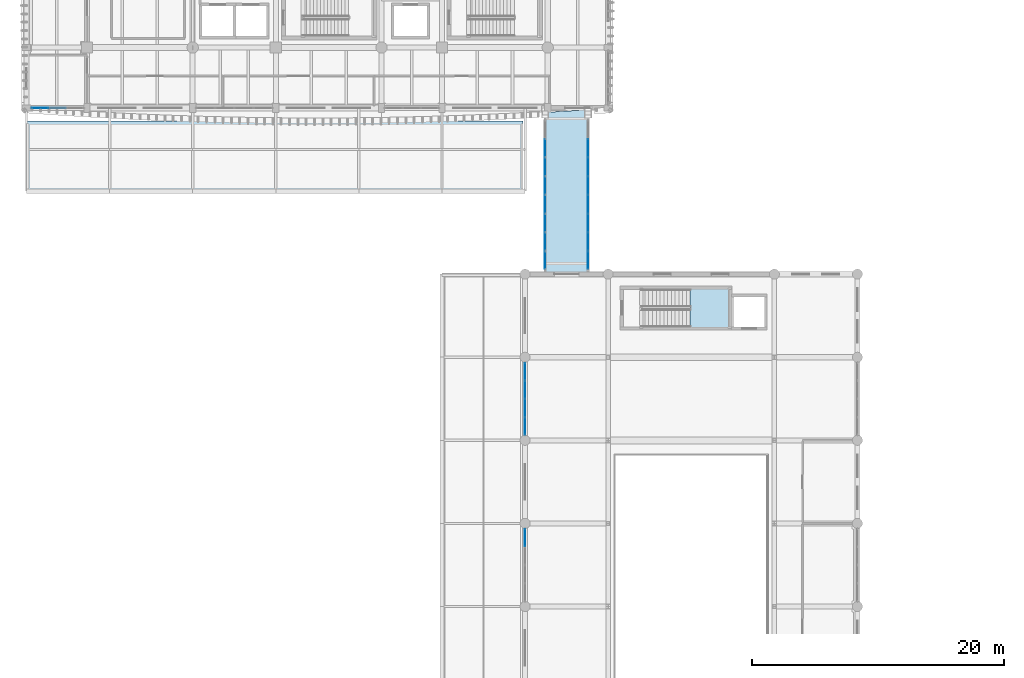
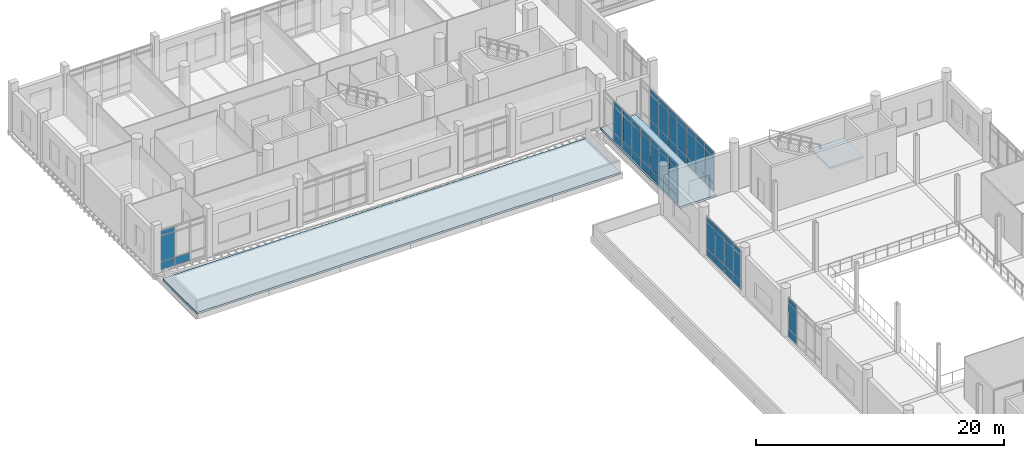
# One storey, part 66 of 125: 61 plates, 3 slabs, 6 elements without a shape of their own.
"""IFC4 building model written with IfcOpenShell, lengths in metres."""

from ifc_helpers import new_model, si_unit, direction, frame, origin, origin_2d, place, context, subcontext, project, spatial, polyline, rectangle, outline, extrude, material, layer, layer_set, type_object, element, aggregate, save


model = new_model("IFC4")

# Units and contexts
model_context = context("Model", 3, precision=1e-05, world=origin(), true_north=direction((0.0, 1.0)))
body_context = subcontext(model_context, "Body", "Model", "MODEL_VIEW")
ifc_project = project(units=[si_unit("LENGTHUNIT", "METRE"), si_unit("AREAUNIT", "SQUARE_METRE"), si_unit("VOLUMEUNIT", "CUBIC_METRE"), si_unit("PLANEANGLEUNIT", "RADIAN"), si_unit("MASSUNIT", "GRAM", prefix="KILO")], contexts=[model_context])

# Site, building, storey
site_placement = place(None, origin())
site = spatial("IfcSite", under=ifc_project, at=site_placement, CompositionType="ELEMENT")
building_placement = place(site_placement, origin())
building = spatial("IfcBuilding", under=site, at=building_placement, Name="Dornvale Research Institute", CompositionType="ELEMENT")
storey_placement = place(building_placement, frame((0.0, 0.0, 5.39990234375)))
storey = spatial("IfcBuildingStorey", under=building, at=storey_placement, Name="L01", CompositionType="ELEMENT", Elevation=5.39990234375)

# Curtain wall, plate
ifc_material_1 = material(Name="Low-E Argon Double Insulating Glazing Unit", Category="glass")
curtain_wall_type_1 = type_object("IfcCurtainWallType", Name="UnitisedCurtainWall_V2_5810x3950", PredefinedType="USERDEFINED", material=ifc_material_1)
curtain_wall_1_placement = place(storey_placement, origin())
curtain_wall_1 = element("IfcCurtainWall", 1, at=curtain_wall_1_placement, inside=storey, type_object=curtain_wall_type_1, Name="L01 V2 unitised curtain wall CW-02 #5", ObjectType="UNITISED CURTAIN WALL", PredefinedType="USERDEFINED")
ifc_material_2 = material(Name="Insulated Ceramic-Frit Spandrel Glass Panel", Category="glass")
ifc_layer_1 = layer(ifc_material_2, 0.0419921875)
ifc_layer_set_1 = layer_set([ifc_layer_1], Name="Insulated Ceramic-Frit Spandrel Glass Panel")
plate_type_1 = type_object("IfcPlateType", Name="CurtainPanel_Spandrel_42", PredefinedType="CURTAIN_PANEL", material=ifc_layer_set_1)
plate_1_placement = place(storey_placement, frame((39.60009765625, 64.862548828125, 0.065185546875), z_axis=(0.0, 0.0, 1.0), x_axis=(0.0, 1.0, 0.0)))
plate_1 = element("IfcPlate", 2, at=plate_1_placement, type_object=plate_type_1, Name="CW-02 panel 4.1", PredefinedType="CURTAIN_PANEL", context=body_context, shape_type="SweptSolid", body=[
    extrude(rectangle(XDim=1.35498046875, YDim=0.0419921875, at=origin_2d()), origin(), (0.0, 0.0, 1.0), 0.75244140625),
])

# Curtain wall, plates
curtain_wall_2_placement = place(storey_placement, origin())
curtain_wall_2 = element("IfcCurtainWall", 3, at=curtain_wall_2_placement, inside=storey, type_object=curtain_wall_type_1, Name="L01 V2 unitised curtain wall CW-02 #6", ObjectType="UNITISED CURTAIN WALL", PredefinedType="USERDEFINED")
plate_2_placement = place(storey_placement, frame((39.60009765625, 73.737548828125, 0.065185546875), z_axis=(0.0, 0.0, 1.0), x_axis=(0.0, 1.0, 0.0)))
plate_2 = element("IfcPlate", 4, at=plate_2_placement, type_object=plate_type_1, Name="CW-02 panel 1.1", PredefinedType="CURTAIN_PANEL", context=body_context, shape_type="SweptSolid", body=[
    extrude(rectangle(XDim=1.35498046875, YDim=0.0419921875, at=origin_2d()), origin(), (0.0, 0.0, 1.0), 0.75244140625),
])
plate_3_placement = place(storey_placement, frame((39.60009765625, 75.173828125, 0.065185546875), z_axis=(0.0, 0.0, 1.0), x_axis=(0.0, 1.0, 0.0)))
plate_3 = element("IfcPlate", 5, at=plate_3_placement, type_object=plate_type_1, Name="CW-02 panel 2.1", PredefinedType="CURTAIN_PANEL", context=body_context, shape_type="SweptSolid", body=[
    extrude(rectangle(XDim=1.387451171875, YDim=0.0419921875, at=origin_2d()), origin(), (0.0, 0.0, 1.0), 0.75244140625),
])
plate_4_placement = place(storey_placement, frame((39.60009765625, 76.626220703125, 0.065185546875), z_axis=(0.0, 0.0, 1.0), x_axis=(0.0, 1.0, 0.0)))
plate_4 = element("IfcPlate", 6, at=plate_4_placement, type_object=plate_type_1, Name="CW-02 panel 3.1", PredefinedType="CURTAIN_PANEL", context=body_context, shape_type="SweptSolid", body=[
    extrude(rectangle(XDim=1.387451171875, YDim=0.0419921875, at=origin_2d()), origin(), (0.0, 0.0, 1.0), 0.75244140625),
])
plate_5_placement = place(storey_placement, frame((39.60009765625, 78.0625, 0.065185546875), z_axis=(0.0, 0.0, 1.0), x_axis=(0.0, 1.0, 0.0)))
plate_5 = element("IfcPlate", 7, at=plate_5_placement, type_object=plate_type_1, Name="CW-02 panel 4.1", PredefinedType="CURTAIN_PANEL", context=body_context, shape_type="SweptSolid", body=[
    extrude(rectangle(XDim=1.35498046875, YDim=0.0419921875, at=origin_2d()), origin(), (0.0, 0.0, 1.0), 0.75244140625),
])

ifc_material_3 = material(Name="Low-E Argon Double Insulating Glazing Unit", Category="glass")
curtain_wall_type_2 = type_object("IfcCurtainWallType", Name="UnitisedCurtainWall_V5_4200x3950", PredefinedType="USERDEFINED", material=ifc_material_3)
curtain_wall_3_placement = place(storey_placement, origin())
curtain_wall_3 = element("IfcCurtainWall", 8, at=curtain_wall_3_placement, inside=storey, type_object=curtain_wall_type_2, Name="L01 V5 unitised curtain wall CW-27 #139", ObjectType="UNITISED CURTAIN WALL", PredefinedType="USERDEFINED")
plate_6_placement = place(storey_placement, frame((2.449951171875, 99.0, 0.065185546875), z_axis=(0.0, 0.0, 1.0), x_axis=(-1.0, 0.0, 0.0)))
plate_6 = element("IfcPlate", 9, at=plate_6_placement, type_object=plate_type_1, Name="CW-27 panel 2.1", PredefinedType="CURTAIN_PANEL", context=body_context, shape_type="SweptSolid", body=[
    extrude(rectangle(XDim=1.3349609375, YDim=0.0419921875, at=origin_2d()), origin(), (0.0, 0.0, 1.0), 0.75244140625),
])
plate_7_placement = place(storey_placement, frame((1.066162109375, 99.0, 0.065185546875), z_axis=(0.0, 0.0, 1.0), x_axis=(-1.0, 0.0, 0.0)))
plate_7 = element("IfcPlate", 10, at=plate_7_placement, type_object=plate_type_1, Name="CW-27 panel 3.1", PredefinedType="CURTAIN_PANEL", context=body_context, shape_type="SweptSolid", body=[
    extrude(rectangle(XDim=1.302490234375, YDim=0.0419921875, at=origin_2d()), origin(), (0.0, 0.0, 1.0), 0.75244140625),
])

ifc_material_4 = material(Name="Low-E Argon Double Insulating Glazing Unit", Category="glass")
curtain_wall_type_3 = type_object("IfcCurtainWallType", Name="UnitisedCurtainWall_V2_11900x4000", PredefinedType="USERDEFINED", material=ifc_material_4)
curtain_wall_4_placement = place(storey_placement, origin())
curtain_wall_4 = element("IfcCurtainWall", 11, at=curtain_wall_4_placement, inside=storey, type_object=curtain_wall_type_3, Name="L01 V2 unitised curtain wall CW-40 #207", ObjectType="UNITISED CURTAIN WALL", PredefinedType="USERDEFINED")
plate_8_placement = place(storey_placement, frame((41.199951171875, 86.909912109375, 0.065185546875), z_axis=(0.0, 0.0, 1.0), x_axis=(0.0, 1.0, 0.0)))
plate_8 = element("IfcPlate", 12, at=plate_8_placement, type_object=plate_type_1, Name="CW-40 panel 1.1", PredefinedType="CURTAIN_PANEL", context=body_context, shape_type="SweptSolid", body=[
    extrude(rectangle(XDim=1.389892578125, YDim=0.0419921875, at=origin_2d()), origin(), (0.0, 0.0, 1.0), 0.75244140625),
])
plate_9_placement = place(storey_placement, frame((41.199951171875, 88.38134765625, 0.065185546875), z_axis=(0.0, 0.0, 1.0), x_axis=(0.0, 1.0, 0.0)))
plate_9 = element("IfcPlate", 13, at=plate_9_placement, type_object=plate_type_1, Name="CW-40 panel 2.1", PredefinedType="CURTAIN_PANEL", context=body_context, shape_type="SweptSolid", body=[
    extrude(rectangle(XDim=1.422607421875, YDim=0.0419921875, at=origin_2d()), origin(), (0.0, 0.0, 1.0), 0.75244140625),
])
plate_10_placement = place(storey_placement, frame((41.199951171875, 89.86865234375, 0.065185546875), z_axis=(0.0, 0.0, 1.0), x_axis=(0.0, 1.0, 0.0)))
plate_10 = element("IfcPlate", 14, at=plate_10_placement, type_object=plate_type_1, Name="CW-40 panel 3.1", PredefinedType="CURTAIN_PANEL", context=body_context, shape_type="SweptSolid", body=[
    extrude(rectangle(XDim=1.422607421875, YDim=0.0419921875, at=origin_2d()), origin(), (0.0, 0.0, 1.0), 0.75244140625),
])
plate_11_placement = place(storey_placement, frame((41.199951171875, 91.356201171875, 0.065185546875), z_axis=(0.0, 0.0, 1.0), x_axis=(0.0, 1.0, 0.0)))
plate_11 = element("IfcPlate", 15, at=plate_11_placement, type_object=plate_type_1, Name="CW-40 panel 4.1", PredefinedType="CURTAIN_PANEL", context=body_context, shape_type="SweptSolid", body=[
    extrude(rectangle(XDim=1.422607421875, YDim=0.0419921875, at=origin_2d()), origin(), (0.0, 0.0, 1.0), 0.75244140625),
])
plate_12_placement = place(storey_placement, frame((41.199951171875, 92.84375, 0.065185546875), z_axis=(0.0, 0.0, 1.0), x_axis=(0.0, 1.0, 0.0)))
plate_12 = element("IfcPlate", 16, at=plate_12_placement, type_object=plate_type_1, Name="CW-40 panel 5.1", PredefinedType="CURTAIN_PANEL", context=body_context, shape_type="SweptSolid", body=[
    extrude(rectangle(XDim=1.422607421875, YDim=0.0419921875, at=origin_2d()), origin(), (0.0, 0.0, 1.0), 0.75244140625),
])
plate_13_placement = place(storey_placement, frame((41.199951171875, 94.331298828125, 0.065185546875), z_axis=(0.0, 0.0, 1.0), x_axis=(0.0, 1.0, 0.0)))
plate_13 = element("IfcPlate", 17, at=plate_13_placement, type_object=plate_type_1, Name="CW-40 panel 6.1", PredefinedType="CURTAIN_PANEL", context=body_context, shape_type="SweptSolid", body=[
    extrude(rectangle(XDim=1.422607421875, YDim=0.0419921875, at=origin_2d()), origin(), (0.0, 0.0, 1.0), 0.75244140625),
])
plate_14_placement = place(storey_placement, frame((41.199951171875, 95.81884765625, 0.065185546875), z_axis=(0.0, 0.0, 1.0), x_axis=(0.0, 1.0, 0.0)))
plate_14 = element("IfcPlate", 18, at=plate_14_placement, type_object=plate_type_1, Name="CW-40 panel 7.1", PredefinedType="CURTAIN_PANEL", context=body_context, shape_type="SweptSolid", body=[
    extrude(rectangle(XDim=1.422607421875, YDim=0.0419921875, at=origin_2d()), origin(), (0.0, 0.0, 1.0), 0.75244140625),
])

curtain_wall_5_placement = place(storey_placement, origin())
curtain_wall_5 = element("IfcCurtainWall", 19, at=curtain_wall_5_placement, inside=storey, type_object=curtain_wall_type_3, Name="L01 V2 unitised curtain wall CW-40 #208", ObjectType="UNITISED CURTAIN WALL", PredefinedType="USERDEFINED")
plate_15_placement = place(storey_placement, frame((44.60009765625, 95.81884765625, 0.065185546875), z_axis=(0.0, 0.0, 1.0), x_axis=(0.0, -1.0, 0.0)))
plate_15 = element("IfcPlate", 20, at=plate_15_placement, type_object=plate_type_1, Name="CW-40 panel 2.1", PredefinedType="CURTAIN_PANEL", context=body_context, shape_type="SweptSolid", body=[
    extrude(rectangle(XDim=1.422607421875, YDim=0.0419921875, at=origin_2d()), origin(), (0.0, 0.0, 1.0), 0.75244140625),
])
plate_16_placement = place(storey_placement, frame((44.60009765625, 94.331298828125, 0.065185546875), z_axis=(0.0, 0.0, 1.0), x_axis=(0.0, -1.0, 0.0)))
plate_16 = element("IfcPlate", 21, at=plate_16_placement, type_object=plate_type_1, Name="CW-40 panel 3.1", PredefinedType="CURTAIN_PANEL", context=body_context, shape_type="SweptSolid", body=[
    extrude(rectangle(XDim=1.422607421875, YDim=0.0419921875, at=origin_2d()), origin(), (0.0, 0.0, 1.0), 0.75244140625),
])
plate_17_placement = place(storey_placement, frame((44.60009765625, 92.84375, 0.065185546875), z_axis=(0.0, 0.0, 1.0), x_axis=(0.0, -1.0, 0.0)))
plate_17 = element("IfcPlate", 22, at=plate_17_placement, type_object=plate_type_1, Name="CW-40 panel 4.1", PredefinedType="CURTAIN_PANEL", context=body_context, shape_type="SweptSolid", body=[
    extrude(rectangle(XDim=1.422607421875, YDim=0.0419921875, at=origin_2d()), origin(), (0.0, 0.0, 1.0), 0.75244140625),
])
plate_18_placement = place(storey_placement, frame((44.60009765625, 91.356201171875, 0.065185546875), z_axis=(0.0, 0.0, 1.0), x_axis=(0.0, -1.0, 0.0)))
plate_18 = element("IfcPlate", 23, at=plate_18_placement, type_object=plate_type_1, Name="CW-40 panel 5.1", PredefinedType="CURTAIN_PANEL", context=body_context, shape_type="SweptSolid", body=[
    extrude(rectangle(XDim=1.422607421875, YDim=0.0419921875, at=origin_2d()), origin(), (0.0, 0.0, 1.0), 0.75244140625),
])
plate_19_placement = place(storey_placement, frame((44.60009765625, 89.86865234375, 0.065185546875), z_axis=(0.0, 0.0, 1.0), x_axis=(0.0, -1.0, 0.0)))
plate_19 = element("IfcPlate", 24, at=plate_19_placement, type_object=plate_type_1, Name="CW-40 panel 6.1", PredefinedType="CURTAIN_PANEL", context=body_context, shape_type="SweptSolid", body=[
    extrude(rectangle(XDim=1.422607421875, YDim=0.0419921875, at=origin_2d()), origin(), (0.0, 0.0, 1.0), 0.75244140625),
])
plate_20_placement = place(storey_placement, frame((44.60009765625, 88.38134765625, 0.065185546875), z_axis=(0.0, 0.0, 1.0), x_axis=(0.0, -1.0, 0.0)))
plate_20 = element("IfcPlate", 25, at=plate_20_placement, type_object=plate_type_1, Name="CW-40 panel 7.1", PredefinedType="CURTAIN_PANEL", context=body_context, shape_type="SweptSolid", body=[
    extrude(rectangle(XDim=1.422607421875, YDim=0.0419921875, at=origin_2d()), origin(), (0.0, 0.0, 1.0), 0.75244140625),
])
plate_21_placement = place(storey_placement, frame((44.60009765625, 86.909912109375, 0.065185546875), z_axis=(0.0, 0.0, 1.0), x_axis=(0.0, -1.0, 0.0)))
plate_21 = element("IfcPlate", 26, at=plate_21_placement, type_object=plate_type_1, Name="CW-40 panel 8.1", PredefinedType="CURTAIN_PANEL", context=body_context, shape_type="SweptSolid", body=[
    extrude(rectangle(XDim=1.389892578125, YDim=0.0419921875, at=origin_2d()), origin(), (0.0, 0.0, 1.0), 0.75244140625),
])

# Plate
ifc_material_5 = material(Name="Low-E Argon Double Insulating Glazing Unit", Category="glass")
ifc_layer_2 = layer(ifc_material_5, 0.028076171875)
ifc_layer_set_2 = layer_set([ifc_layer_2], Name="Low-E Argon Double Insulating Glazing Unit")
plate_type_2 = type_object("IfcPlateType", Name="CurtainPanel_Vision_28", PredefinedType="CURTAIN_PANEL", material=ifc_layer_set_2)
plate_22_placement = place(storey_placement, frame((39.60009765625, 64.862548828125, 0.88232421875), z_axis=(0.0, 0.0, 1.0), x_axis=(0.0, 1.0, 0.0)))
plate_22 = element("IfcPlate", 27, at=plate_22_placement, type_object=plate_type_2, Name="CW-02 panel 4.2", PredefinedType="CURTAIN_PANEL", context=body_context, shape_type="SweptSolid", body=[
    extrude(rectangle(XDim=1.35498046875, YDim=0.028076171875, at=origin_2d()), origin(), (0.0, 0.0, 1.0), 2.485107421875),
])

plate_23_placement = place(storey_placement, frame((39.60009765625, 64.862548828125, 3.4326171875), z_axis=(0.0, 0.0, 1.0), x_axis=(0.0, 1.0, 0.0)))
plate_23 = element("IfcPlate", 28, at=plate_23_placement, type_object=plate_type_2, Name="CW-02 panel 4.3", PredefinedType="CURTAIN_PANEL", context=body_context, shape_type="SweptSolid", body=[
    extrude(rectangle(XDim=1.35498046875, YDim=0.028076171875, at=origin_2d()), origin(), (0.0, 0.0, 1.0), 0.452392578125),
])

aggregate(curtain_wall_1, [plate_1, plate_22, plate_23])

plate_24_placement = place(storey_placement, frame((39.60009765625, 73.737548828125, 0.88232421875), z_axis=(0.0, 0.0, 1.0), x_axis=(0.0, 1.0, 0.0)))
plate_24 = element("IfcPlate", 29, at=plate_24_placement, type_object=plate_type_2, Name="CW-02 panel 1.2", PredefinedType="CURTAIN_PANEL", context=body_context, shape_type="SweptSolid", body=[
    extrude(rectangle(XDim=1.35498046875, YDim=0.028076171875, at=origin_2d()), origin(), (0.0, 0.0, 1.0), 2.485107421875),
])

plate_25_placement = place(storey_placement, frame((39.60009765625, 73.737548828125, 3.4326171875), z_axis=(0.0, 0.0, 1.0), x_axis=(0.0, 1.0, 0.0)))
plate_25 = element("IfcPlate", 30, at=plate_25_placement, type_object=plate_type_2, Name="CW-02 panel 1.3", PredefinedType="CURTAIN_PANEL", context=body_context, shape_type="SweptSolid", body=[
    extrude(rectangle(XDim=1.35498046875, YDim=0.028076171875, at=origin_2d()), origin(), (0.0, 0.0, 1.0), 0.452392578125),
])

plate_26_placement = place(storey_placement, frame((39.60009765625, 75.173828125, 0.88232421875), z_axis=(0.0, 0.0, 1.0), x_axis=(0.0, 1.0, 0.0)))
plate_26 = element("IfcPlate", 31, at=plate_26_placement, type_object=plate_type_2, Name="CW-02 panel 2.2", PredefinedType="CURTAIN_PANEL", context=body_context, shape_type="SweptSolid", body=[
    extrude(rectangle(XDim=1.387451171875, YDim=0.028076171875, at=origin_2d()), origin(), (0.0, 0.0, 1.0), 2.485107421875),
])

plate_27_placement = place(storey_placement, frame((39.60009765625, 75.173828125, 3.4326171875), z_axis=(0.0, 0.0, 1.0), x_axis=(0.0, 1.0, 0.0)))
plate_27 = element("IfcPlate", 32, at=plate_27_placement, type_object=plate_type_2, Name="CW-02 panel 2.3", PredefinedType="CURTAIN_PANEL", context=body_context, shape_type="SweptSolid", body=[
    extrude(rectangle(XDim=1.387451171875, YDim=0.028076171875, at=origin_2d()), origin(), (0.0, 0.0, 1.0), 0.452392578125),
])

plate_28_placement = place(storey_placement, frame((39.60009765625, 76.626220703125, 0.88232421875), z_axis=(0.0, 0.0, 1.0), x_axis=(0.0, 1.0, 0.0)))
plate_28 = element("IfcPlate", 33, at=plate_28_placement, type_object=plate_type_2, Name="CW-02 panel 3.2", PredefinedType="CURTAIN_PANEL", context=body_context, shape_type="SweptSolid", body=[
    extrude(rectangle(XDim=1.387451171875, YDim=0.028076171875, at=origin_2d()), origin(), (0.0, 0.0, 1.0), 2.485107421875),
])

plate_29_placement = place(storey_placement, frame((39.60009765625, 76.626220703125, 3.4326171875), z_axis=(0.0, 0.0, 1.0), x_axis=(0.0, 1.0, 0.0)))
plate_29 = element("IfcPlate", 34, at=plate_29_placement, type_object=plate_type_2, Name="CW-02 panel 3.3", PredefinedType="CURTAIN_PANEL", context=body_context, shape_type="SweptSolid", body=[
    extrude(rectangle(XDim=1.387451171875, YDim=0.028076171875, at=origin_2d()), origin(), (0.0, 0.0, 1.0), 0.452392578125),
])

plate_30_placement = place(storey_placement, frame((39.60009765625, 78.0625, 0.88232421875), z_axis=(0.0, 0.0, 1.0), x_axis=(0.0, 1.0, 0.0)))
plate_30 = element("IfcPlate", 35, at=plate_30_placement, type_object=plate_type_2, Name="CW-02 panel 4.2", PredefinedType="CURTAIN_PANEL", context=body_context, shape_type="SweptSolid", body=[
    extrude(rectangle(XDim=1.35498046875, YDim=0.028076171875, at=origin_2d()), origin(), (0.0, 0.0, 1.0), 2.485107421875),
])

plate_31_placement = place(storey_placement, frame((39.60009765625, 78.0625, 3.4326171875), z_axis=(0.0, 0.0, 1.0), x_axis=(0.0, 1.0, 0.0)))
plate_31 = element("IfcPlate", 36, at=plate_31_placement, type_object=plate_type_2, Name="CW-02 panel 4.3", PredefinedType="CURTAIN_PANEL", context=body_context, shape_type="SweptSolid", body=[
    extrude(rectangle(XDim=1.35498046875, YDim=0.028076171875, at=origin_2d()), origin(), (0.0, 0.0, 1.0), 0.452392578125),
])

aggregate(curtain_wall_2, [plate_2, plate_24, plate_25, plate_3, plate_26, plate_27, plate_4, plate_28, plate_29, plate_5, plate_30, plate_31])

plate_32_placement = place(storey_placement, frame((1.066162109375, 99.0, 0.88232421875), z_axis=(0.0, 0.0, 1.0), x_axis=(-1.0, 0.0, 0.0)))
plate_32 = element("IfcPlate", 37, at=plate_32_placement, type_object=plate_type_2, Name="CW-27 panel 3.2", PredefinedType="CURTAIN_PANEL", context=body_context, shape_type="SweptSolid", body=[
    extrude(rectangle(XDim=1.302490234375, YDim=0.028076171875, at=origin_2d()), origin(), (0.0, 0.0, 1.0), 2.485107421875),
])

plate_33_placement = place(storey_placement, frame((1.066162109375, 99.0, 3.4326171875), z_axis=(0.0, 0.0, 1.0), x_axis=(-1.0, 0.0, 0.0)))
plate_33 = element("IfcPlate", 38, at=plate_33_placement, type_object=plate_type_2, Name="CW-27 panel 3.3", PredefinedType="CURTAIN_PANEL", context=body_context, shape_type="SweptSolid", body=[
    extrude(rectangle(XDim=1.302490234375, YDim=0.028076171875, at=origin_2d()), origin(), (0.0, 0.0, 1.0), 0.452392578125),
])

aggregate(curtain_wall_3, [plate_6, plate_7, plate_32, plate_33])

plate_34_placement = place(storey_placement, frame((41.199951171875, 86.909912109375, 0.8828125), z_axis=(0.0, 0.0, 1.0), x_axis=(0.0, 1.0, 0.0)))
plate_34 = element("IfcPlate", 39, at=plate_34_placement, type_object=plate_type_2, Name="CW-40 panel 1.2", PredefinedType="CURTAIN_PANEL", context=body_context, shape_type="SweptSolid", body=[
    extrude(rectangle(XDim=1.389892578125, YDim=0.028076171875, at=origin_2d()), origin(), (0.0, 0.0, 1.0), 2.534912109375),
])

plate_35_placement = place(storey_placement, frame((41.199951171875, 86.909912109375, 3.482421875), z_axis=(0.0, 0.0, 1.0), x_axis=(0.0, 1.0, 0.0)))
plate_35 = element("IfcPlate", 40, at=plate_35_placement, type_object=plate_type_2, Name="CW-40 panel 1.3", PredefinedType="CURTAIN_PANEL", context=body_context, shape_type="SweptSolid", body=[
    extrude(rectangle(XDim=1.389892578125, YDim=0.028076171875, at=origin_2d()), origin(), (0.0, 0.0, 1.0), 0.452392578125),
])

plate_36_placement = place(storey_placement, frame((41.199951171875, 88.38134765625, 0.8828125), z_axis=(0.0, 0.0, 1.0), x_axis=(0.0, 1.0, 0.0)))
plate_36 = element("IfcPlate", 41, at=plate_36_placement, type_object=plate_type_2, Name="CW-40 panel 2.2", PredefinedType="CURTAIN_PANEL", context=body_context, shape_type="SweptSolid", body=[
    extrude(rectangle(XDim=1.422607421875, YDim=0.028076171875, at=origin_2d()), origin(), (0.0, 0.0, 1.0), 2.534912109375),
])

plate_37_placement = place(storey_placement, frame((41.199951171875, 88.38134765625, 3.482421875), z_axis=(0.0, 0.0, 1.0), x_axis=(0.0, 1.0, 0.0)))
plate_37 = element("IfcPlate", 42, at=plate_37_placement, type_object=plate_type_2, Name="CW-40 panel 2.3", PredefinedType="CURTAIN_PANEL", context=body_context, shape_type="SweptSolid", body=[
    extrude(rectangle(XDim=1.422607421875, YDim=0.028076171875, at=origin_2d()), origin(), (0.0, 0.0, 1.0), 0.452392578125),
])

plate_38_placement = place(storey_placement, frame((41.199951171875, 89.86865234375, 0.8828125), z_axis=(0.0, 0.0, 1.0), x_axis=(0.0, 1.0, 0.0)))
plate_38 = element("IfcPlate", 43, at=plate_38_placement, type_object=plate_type_2, Name="CW-40 panel 3.2", PredefinedType="CURTAIN_PANEL", context=body_context, shape_type="SweptSolid", body=[
    extrude(rectangle(XDim=1.422607421875, YDim=0.028076171875, at=origin_2d()), origin(), (0.0, 0.0, 1.0), 2.534912109375),
])

plate_39_placement = place(storey_placement, frame((41.199951171875, 89.86865234375, 3.482421875), z_axis=(0.0, 0.0, 1.0), x_axis=(0.0, 1.0, 0.0)))
plate_39 = element("IfcPlate", 44, at=plate_39_placement, type_object=plate_type_2, Name="CW-40 panel 3.3", PredefinedType="CURTAIN_PANEL", context=body_context, shape_type="SweptSolid", body=[
    extrude(rectangle(XDim=1.422607421875, YDim=0.028076171875, at=origin_2d()), origin(), (0.0, 0.0, 1.0), 0.452392578125),
])

plate_40_placement = place(storey_placement, frame((41.199951171875, 91.356201171875, 0.8828125), z_axis=(0.0, 0.0, 1.0), x_axis=(0.0, 1.0, 0.0)))
plate_40 = element("IfcPlate", 45, at=plate_40_placement, type_object=plate_type_2, Name="CW-40 panel 4.2", PredefinedType="CURTAIN_PANEL", context=body_context, shape_type="SweptSolid", body=[
    extrude(rectangle(XDim=1.422607421875, YDim=0.028076171875, at=origin_2d()), origin(), (0.0, 0.0, 1.0), 2.534912109375),
])

plate_41_placement = place(storey_placement, frame((41.199951171875, 91.356201171875, 3.482421875), z_axis=(0.0, 0.0, 1.0), x_axis=(0.0, 1.0, 0.0)))
plate_41 = element("IfcPlate", 46, at=plate_41_placement, type_object=plate_type_2, Name="CW-40 panel 4.3", PredefinedType="CURTAIN_PANEL", context=body_context, shape_type="SweptSolid", body=[
    extrude(rectangle(XDim=1.422607421875, YDim=0.028076171875, at=origin_2d()), origin(), (0.0, 0.0, 1.0), 0.452392578125),
])

plate_42_placement = place(storey_placement, frame((41.199951171875, 92.84375, 0.8828125), z_axis=(0.0, 0.0, 1.0), x_axis=(0.0, 1.0, 0.0)))
plate_42 = element("IfcPlate", 47, at=plate_42_placement, type_object=plate_type_2, Name="CW-40 panel 5.2", PredefinedType="CURTAIN_PANEL", context=body_context, shape_type="SweptSolid", body=[
    extrude(rectangle(XDim=1.422607421875, YDim=0.028076171875, at=origin_2d()), origin(), (0.0, 0.0, 1.0), 2.534912109375),
])

plate_43_placement = place(storey_placement, frame((41.199951171875, 92.84375, 3.482421875), z_axis=(0.0, 0.0, 1.0), x_axis=(0.0, 1.0, 0.0)))
plate_43 = element("IfcPlate", 48, at=plate_43_placement, type_object=plate_type_2, Name="CW-40 panel 5.3", PredefinedType="CURTAIN_PANEL", context=body_context, shape_type="SweptSolid", body=[
    extrude(rectangle(XDim=1.422607421875, YDim=0.028076171875, at=origin_2d()), origin(), (0.0, 0.0, 1.0), 0.452392578125),
])

plate_44_placement = place(storey_placement, frame((41.199951171875, 94.331298828125, 0.8828125), z_axis=(0.0, 0.0, 1.0), x_axis=(0.0, 1.0, 0.0)))
plate_44 = element("IfcPlate", 49, at=plate_44_placement, type_object=plate_type_2, Name="CW-40 panel 6.2", PredefinedType="CURTAIN_PANEL", context=body_context, shape_type="SweptSolid", body=[
    extrude(rectangle(XDim=1.422607421875, YDim=0.028076171875, at=origin_2d()), origin(), (0.0, 0.0, 1.0), 2.534912109375),
])

plate_45_placement = place(storey_placement, frame((41.199951171875, 94.331298828125, 3.482421875), z_axis=(0.0, 0.0, 1.0), x_axis=(0.0, 1.0, 0.0)))
plate_45 = element("IfcPlate", 50, at=plate_45_placement, type_object=plate_type_2, Name="CW-40 panel 6.3", PredefinedType="CURTAIN_PANEL", context=body_context, shape_type="SweptSolid", body=[
    extrude(rectangle(XDim=1.422607421875, YDim=0.028076171875, at=origin_2d()), origin(), (0.0, 0.0, 1.0), 0.452392578125),
])

plate_46_placement = place(storey_placement, frame((41.199951171875, 95.81884765625, 0.8828125), z_axis=(0.0, 0.0, 1.0), x_axis=(0.0, 1.0, 0.0)))
plate_46 = element("IfcPlate", 51, at=plate_46_placement, type_object=plate_type_2, Name="CW-40 panel 7.2", PredefinedType="CURTAIN_PANEL", context=body_context, shape_type="SweptSolid", body=[
    extrude(rectangle(XDim=1.422607421875, YDim=0.028076171875, at=origin_2d()), origin(), (0.0, 0.0, 1.0), 2.534912109375),
])

plate_47_placement = place(storey_placement, frame((41.199951171875, 95.81884765625, 3.482421875), z_axis=(0.0, 0.0, 1.0), x_axis=(0.0, 1.0, 0.0)))
plate_47 = element("IfcPlate", 52, at=plate_47_placement, type_object=plate_type_2, Name="CW-40 panel 7.3", PredefinedType="CURTAIN_PANEL", context=body_context, shape_type="SweptSolid", body=[
    extrude(rectangle(XDim=1.422607421875, YDim=0.028076171875, at=origin_2d()), origin(), (0.0, 0.0, 1.0), 0.452392578125),
])

aggregate(curtain_wall_4, [plate_8, plate_34, plate_35, plate_9, plate_36, plate_37, plate_10, plate_38, plate_39, plate_11, plate_40, plate_41, plate_12, plate_42, plate_43, plate_13, plate_44, plate_45, plate_14, plate_46, plate_47])

plate_48_placement = place(storey_placement, frame((44.60009765625, 95.81884765625, 0.8828125), z_axis=(0.0, 0.0, 1.0), x_axis=(0.0, -1.0, 0.0)))
plate_48 = element("IfcPlate", 53, at=plate_48_placement, type_object=plate_type_2, Name="CW-40 panel 2.2", PredefinedType="CURTAIN_PANEL", context=body_context, shape_type="SweptSolid", body=[
    extrude(rectangle(XDim=1.422607421875, YDim=0.028076171875, at=origin_2d()), origin(), (0.0, 0.0, 1.0), 2.534912109375),
])

plate_49_placement = place(storey_placement, frame((44.60009765625, 95.81884765625, 3.482421875), z_axis=(0.0, 0.0, 1.0), x_axis=(0.0, -1.0, 0.0)))
plate_49 = element("IfcPlate", 54, at=plate_49_placement, type_object=plate_type_2, Name="CW-40 panel 2.3", PredefinedType="CURTAIN_PANEL", context=body_context, shape_type="SweptSolid", body=[
    extrude(rectangle(XDim=1.422607421875, YDim=0.028076171875, at=origin_2d()), origin(), (0.0, 0.0, 1.0), 0.452392578125),
])

plate_50_placement = place(storey_placement, frame((44.60009765625, 94.331298828125, 0.8828125), z_axis=(0.0, 0.0, 1.0), x_axis=(0.0, -1.0, 0.0)))
plate_50 = element("IfcPlate", 55, at=plate_50_placement, type_object=plate_type_2, Name="CW-40 panel 3.2", PredefinedType="CURTAIN_PANEL", context=body_context, shape_type="SweptSolid", body=[
    extrude(rectangle(XDim=1.422607421875, YDim=0.028076171875, at=origin_2d()), origin(), (0.0, 0.0, 1.0), 2.534912109375),
])

plate_51_placement = place(storey_placement, frame((44.60009765625, 94.331298828125, 3.482421875), z_axis=(0.0, 0.0, 1.0), x_axis=(0.0, -1.0, 0.0)))
plate_51 = element("IfcPlate", 56, at=plate_51_placement, type_object=plate_type_2, Name="CW-40 panel 3.3", PredefinedType="CURTAIN_PANEL", context=body_context, shape_type="SweptSolid", body=[
    extrude(rectangle(XDim=1.422607421875, YDim=0.028076171875, at=origin_2d()), origin(), (0.0, 0.0, 1.0), 0.452392578125),
])

plate_52_placement = place(storey_placement, frame((44.60009765625, 92.84375, 0.8828125), z_axis=(0.0, 0.0, 1.0), x_axis=(0.0, -1.0, 0.0)))
plate_52 = element("IfcPlate", 57, at=plate_52_placement, type_object=plate_type_2, Name="CW-40 panel 4.2", PredefinedType="CURTAIN_PANEL", context=body_context, shape_type="SweptSolid", body=[
    extrude(rectangle(XDim=1.422607421875, YDim=0.028076171875, at=origin_2d()), origin(), (0.0, 0.0, 1.0), 2.534912109375),
])

plate_53_placement = place(storey_placement, frame((44.60009765625, 92.84375, 3.482421875), z_axis=(0.0, 0.0, 1.0), x_axis=(0.0, -1.0, 0.0)))
plate_53 = element("IfcPlate", 58, at=plate_53_placement, type_object=plate_type_2, Name="CW-40 panel 4.3", PredefinedType="CURTAIN_PANEL", context=body_context, shape_type="SweptSolid", body=[
    extrude(rectangle(XDim=1.422607421875, YDim=0.028076171875, at=origin_2d()), origin(), (0.0, 0.0, 1.0), 0.452392578125),
])

plate_54_placement = place(storey_placement, frame((44.60009765625, 91.356201171875, 0.8828125), z_axis=(0.0, 0.0, 1.0), x_axis=(0.0, -1.0, 0.0)))
plate_54 = element("IfcPlate", 59, at=plate_54_placement, type_object=plate_type_2, Name="CW-40 panel 5.2", PredefinedType="CURTAIN_PANEL", context=body_context, shape_type="SweptSolid", body=[
    extrude(rectangle(XDim=1.422607421875, YDim=0.028076171875, at=origin_2d()), origin(), (0.0, 0.0, 1.0), 2.534912109375),
])

plate_55_placement = place(storey_placement, frame((44.60009765625, 91.356201171875, 3.482421875), z_axis=(0.0, 0.0, 1.0), x_axis=(0.0, -1.0, 0.0)))
plate_55 = element("IfcPlate", 60, at=plate_55_placement, type_object=plate_type_2, Name="CW-40 panel 5.3", PredefinedType="CURTAIN_PANEL", context=body_context, shape_type="SweptSolid", body=[
    extrude(rectangle(XDim=1.422607421875, YDim=0.028076171875, at=origin_2d()), origin(), (0.0, 0.0, 1.0), 0.452392578125),
])

plate_56_placement = place(storey_placement, frame((44.60009765625, 89.86865234375, 0.8828125), z_axis=(0.0, 0.0, 1.0), x_axis=(0.0, -1.0, 0.0)))
plate_56 = element("IfcPlate", 61, at=plate_56_placement, type_object=plate_type_2, Name="CW-40 panel 6.2", PredefinedType="CURTAIN_PANEL", context=body_context, shape_type="SweptSolid", body=[
    extrude(rectangle(XDim=1.422607421875, YDim=0.028076171875, at=origin_2d()), origin(), (0.0, 0.0, 1.0), 2.534912109375),
])

plate_57_placement = place(storey_placement, frame((44.60009765625, 89.86865234375, 3.482421875), z_axis=(0.0, 0.0, 1.0), x_axis=(0.0, -1.0, 0.0)))
plate_57 = element("IfcPlate", 62, at=plate_57_placement, type_object=plate_type_2, Name="CW-40 panel 6.3", PredefinedType="CURTAIN_PANEL", context=body_context, shape_type="SweptSolid", body=[
    extrude(rectangle(XDim=1.422607421875, YDim=0.028076171875, at=origin_2d()), origin(), (0.0, 0.0, 1.0), 0.452392578125),
])

plate_58_placement = place(storey_placement, frame((44.60009765625, 88.38134765625, 0.8828125), z_axis=(0.0, 0.0, 1.0), x_axis=(0.0, -1.0, 0.0)))
plate_58 = element("IfcPlate", 63, at=plate_58_placement, type_object=plate_type_2, Name="CW-40 panel 7.2", PredefinedType="CURTAIN_PANEL", context=body_context, shape_type="SweptSolid", body=[
    extrude(rectangle(XDim=1.422607421875, YDim=0.028076171875, at=origin_2d()), origin(), (0.0, 0.0, 1.0), 2.534912109375),
])

plate_59_placement = place(storey_placement, frame((44.60009765625, 88.38134765625, 3.482421875), z_axis=(0.0, 0.0, 1.0), x_axis=(0.0, -1.0, 0.0)))
plate_59 = element("IfcPlate", 64, at=plate_59_placement, type_object=plate_type_2, Name="CW-40 panel 7.3", PredefinedType="CURTAIN_PANEL", context=body_context, shape_type="SweptSolid", body=[
    extrude(rectangle(XDim=1.422607421875, YDim=0.028076171875, at=origin_2d()), origin(), (0.0, 0.0, 1.0), 0.452392578125),
])

plate_60_placement = place(storey_placement, frame((44.60009765625, 86.909912109375, 0.8828125), z_axis=(0.0, 0.0, 1.0), x_axis=(0.0, -1.0, 0.0)))
plate_60 = element("IfcPlate", 65, at=plate_60_placement, type_object=plate_type_2, Name="CW-40 panel 8.2", PredefinedType="CURTAIN_PANEL", context=body_context, shape_type="SweptSolid", body=[
    extrude(rectangle(XDim=1.389892578125, YDim=0.028076171875, at=origin_2d()), origin(), (0.0, 0.0, 1.0), 2.534912109375),
])

plate_61_placement = place(storey_placement, frame((44.60009765625, 86.909912109375, 3.482421875), z_axis=(0.0, 0.0, 1.0), x_axis=(0.0, -1.0, 0.0)))
plate_61 = element("IfcPlate", 66, at=plate_61_placement, type_object=plate_type_2, Name="CW-40 panel 8.3", PredefinedType="CURTAIN_PANEL", context=body_context, shape_type="SweptSolid", body=[
    extrude(rectangle(XDim=1.389892578125, YDim=0.028076171875, at=origin_2d()), origin(), (0.0, 0.0, 1.0), 0.452392578125),
])

aggregate(curtain_wall_5, [plate_15, plate_48, plate_49, plate_16, plate_50, plate_51, plate_17, plate_52, plate_53, plate_18, plate_54, plate_55, plate_19, plate_56, plate_57, plate_20, plate_58, plate_59, plate_21, plate_60, plate_61])

# Slab
ifc_material_6 = material(Name="Concrete f'c 45 MPa (C35/45)", Category="concrete")
ifc_layer_3 = layer(ifc_material_6, 0.219970703125)
ifc_layer_set_3 = layer_set([ifc_layer_3], Name="Concrete f'c 45 MPa (C35/45)")
slab_type_1 = type_object("IfcSlabType", Name="FloorSlab_Bridge_220", PredefinedType="FLOOR", material=ifc_layer_set_3)
slab_1_placement = place(storey_placement, frame((0.0, 0.0, -0.219970703125)))
element("IfcSlab", 67, at=slab_1_placement, inside=storey, type_object=slab_type_1, Name="L01 link bridge deck BR-3", PredefinedType="FLOOR", context=body_context, shape_type="SweptSolid", body=[
    extrude(outline(polyline([(41.199951171875, 85.820068359375), (41.199951171875, 98.65185546875), (41.251220703125, 98.65478515625), (41.251220703125, 98.65478515625), (42.901123046875, 98.75439453125), (42.9013671875, 98.75439453125), (44.55126953125, 98.86279296875), (44.551513671875, 98.863037109375), (44.60009765625, 98.866455078125), (44.60009765625, 85.820068359375), (41.199951171875, 85.820068359375)])), origin(), (0.0, 0.0, 1.0), 0.219970703125),
])

# Stair, slab
ifc_material_7 = material(Name="Concrete f'c 45 MPa (C35/45)", Category="concrete")
stair_type = type_object("IfcStairType", Name="HalfTurnStair_RC_Secondary", PredefinedType="HALF_TURN_STAIR", material=ifc_material_7)
stair_placement = place(storey_placement, origin())
stair = element("IfcStair", 68, at=stair_placement, inside=storey, type_object=stair_type, Name="L01 Exit stair ST-8", PredefinedType="HALF_TURN_STAIR")
ifc_material_8 = material(Name="Concrete f'c 45 MPa (C35/45)", Category="concrete")
ifc_layer_4 = layer(ifc_material_8, 0.199951171875)
ifc_layer_set_4 = layer_set([ifc_layer_4], Name="Concrete f'c 45 MPa (C35/45)")
slab_type_2 = type_object("IfcSlabType", Name="Landing_Stair_200", PredefinedType="LANDING", material=ifc_layer_set_4)
slab_2_placement = place(storey_placement, frame((0.0, 0.0, 2.2001953125)))
slab_2 = element("IfcSlab", 69, at=slab_2_placement, type_object=slab_type_2, Name="ST-8 landing 1", PredefinedType="LANDING", context=body_context, shape_type="SweptSolid", body=[
    extrude(outline(polyline([(52.68994140625, 81.570068359375), (52.68994140625, 84.6298828125), (55.830078125, 84.6298828125), (55.830078125, 81.570068359375), (52.68994140625, 81.570068359375)])), origin(), (0.0, 0.0, 1.0), 0.199951171875),
])
aggregate(stair, [slab_2])

# Slab
ifc_material_9 = material(Name="Concrete f'c 45 MPa (C35/45)", Category="concrete")
ifc_layer_5 = layer(ifc_material_9, 0.199951171875)
ifc_layer_set_5 = layer_set([ifc_layer_5], Name="Concrete f'c 45 MPa (C35/45)")
slab_type_3 = type_object("IfcSlabType", Name="RoofSlab_Canopy_200", PredefinedType="ROOF", material=ifc_layer_set_5)
slab_3_placement = place(storey_placement, frame((0.0, 0.0, -0.199951171875)))
element("IfcSlab", 70, at=slab_3_placement, inside=storey, type_object=slab_type_3, Name="Colonnade portico roof slab ROOF-V6-N", PredefinedType="ROOF", context=body_context, shape_type="SweptSolid", body=[
    extrude(outline(polyline([(0.0, 92.39990234375), (39.449951171875, 92.39990234375), (39.449951171875, 97.949951171875), (0.0, 97.949951171875), (0.0, 92.39990234375)])), origin(), (0.0, 0.0, 1.0), 0.199951171875),
])

save(model, "model.ifc")
